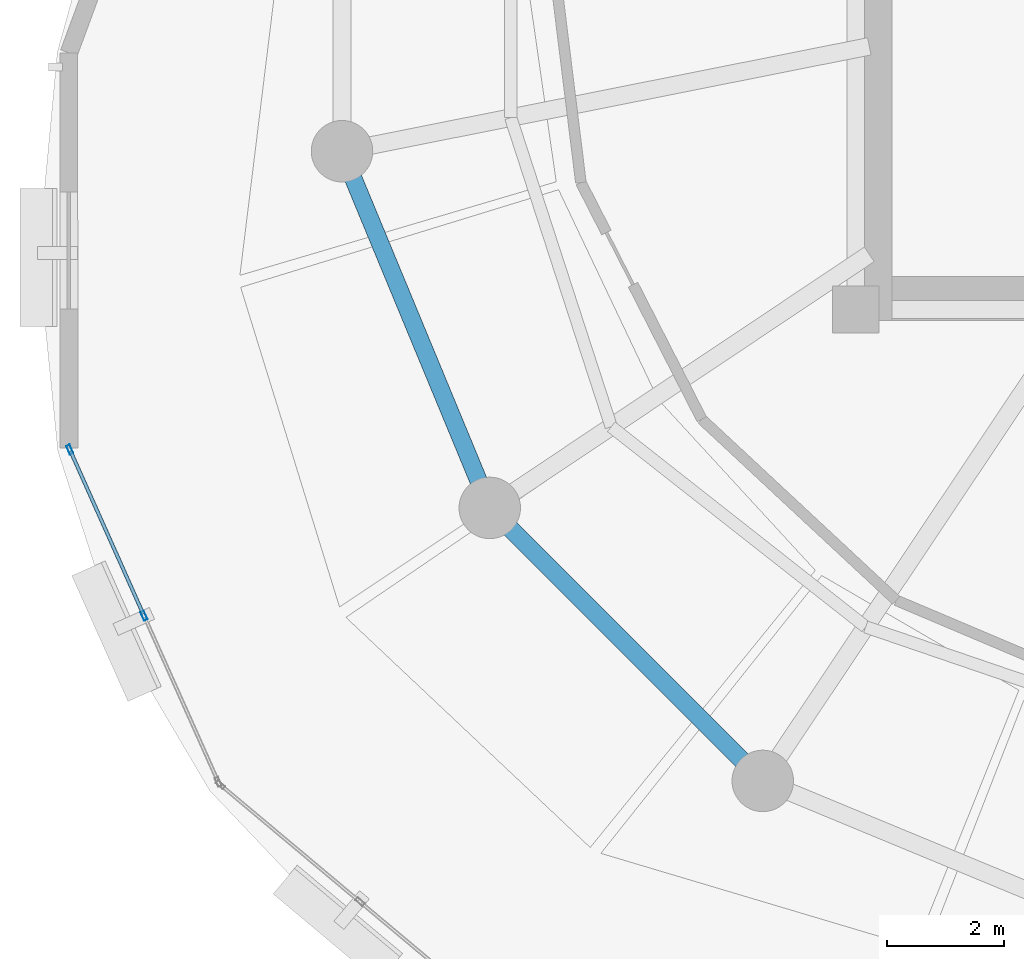
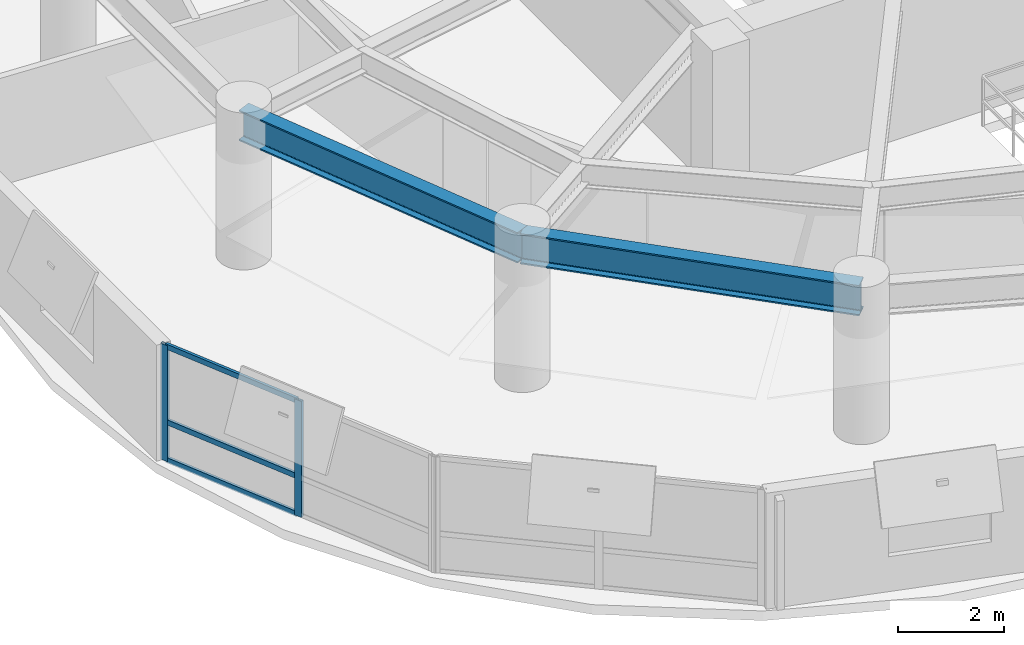
# One storey, part 4 of 12: 5 members, 2 beams, 1 element without a shape of its own.
"""IFC4 building model written with IfcOpenShell, lengths in metres."""

from ifc_helpers import new_model, si_unit, direction, frame, origin, origin_2d, place, context, subcontext, project, spatial, hollow_rectangle, i_section, extrude, material, layer, layer_set, material_profile, profile_set, type_object, element, aggregate, save


model = new_model("IFC4")

# Units and contexts
model_context = context("Model", 3, precision=1e-05, world=origin(), true_north=direction((0.0, 1.0)))
body_context = subcontext(model_context, "Body", "Model", "MODEL_VIEW")
ifc_project = project(units=[si_unit("LENGTHUNIT", "METRE"), si_unit("AREAUNIT", "SQUARE_METRE"), si_unit("VOLUMEUNIT", "CUBIC_METRE"), si_unit("PLANEANGLEUNIT", "RADIAN"), si_unit("MASSUNIT", "GRAM", prefix="KILO"), si_unit("THERMODYNAMICTEMPERATUREUNIT", "KELVIN"), si_unit("POWERUNIT", "WATT")], contexts=[model_context])

# Site, building, storey
site_placement = place(None, origin())
site = spatial("IfcSite", under=ifc_project, at=site_placement, CompositionType="ELEMENT")
building_placement = place(site_placement, origin())
building = spatial("IfcBuilding", under=site, at=building_placement, Name="Ocrelia Relay Tower", CompositionType="ELEMENT")
storey_placement = place(building_placement, frame((0.0, 0.0, 188.0)))
storey = spatial("IfcBuildingStorey", under=building, at=storey_placement, Name="L45", CompositionType="ELEMENT", Elevation=188.0)

# Beams
ifc_material_1 = material(Name="Steel S355", Category="steel")
ifc_material_profile_1 = material_profile(ifc_material_1, i_section(OverallWidth=0.300048828125, OverallDepth=0.699951171875, WebThickness=0.01708984375, FlangeThickness=0.031982421875, FilletRadius=0.027099609375, at=origin_2d()), Name="HEB 700")
ifc_profile_set_1 = profile_set([ifc_material_profile_1], Name="Steel S355")
beam_type = type_object("IfcBeamType", Name="BM-HEB700", PredefinedType="BEAM", material=ifc_profile_set_1)
for number, where, z_axis, x_axis, name in (
    (1, (17.4248046875, 22.702880859375, 3.030029296875), (0.382687508402, -0.923877844151, 0.0), (0.923877844151, 0.382687508402, 0.0), "L45 Perimeter Spandrel Beam S09"),
    (2, (19.9482421875, 16.61083984375, 3.030029296875), (0.707106781187, -0.707106781187, 0.0), (0.707106781187, 0.707106781187, 0.0), "L45 Perimeter Spandrel Beam S10"),
):
    element("IfcBeam", number, at=place(storey_placement, frame(where, z_axis=z_axis, x_axis=x_axis)), inside=storey, type_object=beam_type, Name=name, PredefinedType="BEAM", context=body_context, shape_type="SweptSolid", body=[
        extrude(i_section(OverallWidth=0.300048828125, OverallDepth=0.699951171875, WebThickness=0.01708984375, FlangeThickness=0.031982421875, FilletRadius=0.027099609375, at=origin_2d()), origin(), (0.0, 0.0, 1.0), 6.593994140625),
    ])

# Curtain wall, members
ifc_material_2 = material(Name="Aluminium and solar-control low-E glass", Category="aluminium")
ifc_layer = layer(ifc_material_2, 0.179931640625, Name="Aluminium and solar-control low-E glass")
ifc_layer_set = layer_set([ifc_layer], Name="Aluminium and solar-control low-E glass")
curtain_wall_type = type_object("IfcCurtainWallType", Name="CW-SYS-Z3-CLOU", PredefinedType="NOTDEFINED", material=ifc_layer_set)
curtain_wall_placement = place(storey_placement, origin())
curtain_wall = element("IfcCurtainWall", 3, at=curtain_wall_placement, inside=storey, type_object=curtain_wall_type, Name="L45 Elliptical Tower Curtain Wall Bay 09", PredefinedType="NOTDEFINED")
ifc_material_3 = material(Name="Anodised bronze aluminium", Category="aluminium")
ifc_material_profile_2 = material_profile(ifc_material_3, hollow_rectangle(XDim=0.06494140625, YDim=0.159912109375, WallThickness=0.0048828125, at=origin_2d()), Name="CW-MUL-160x65")
ifc_profile_set_2 = profile_set([ifc_material_profile_2], Name="Anodised bronze aluminium")
member_type_1 = type_object("IfcMemberType", Name="CW-SYS-Z3-CLOU-MUL", PredefinedType="MULLION", material=ifc_profile_set_2)
member_1_placement = place(storey_placement, frame((12.775146484375, 17.60791015625, 0.0), z_axis=(0.0, 0.0, 1.0), x_axis=(0.913048564205, 0.407850854361, 0.0)))
member_1 = element("IfcMember", 4, at=member_1_placement, type_object=member_type_1, Name="CW-Z3 mullion 1", PredefinedType="MULLION", context=body_context, shape_type="SweptSolid", body=[
    extrude(hollow_rectangle(XDim=0.06494140625, YDim=0.159912109375, WallThickness=0.0048828125, at=origin_2d()), origin(), (0.0, 0.0, 1.0), 2.659912109375),
])
member_2_placement = place(storey_placement, frame((14.04296875, 14.769287109375, 0.0), z_axis=(0.0, 0.0, 1.0), x_axis=(0.913048564205, 0.407850854361, 0.0)))
member_2 = element("IfcMember", 5, at=member_2_placement, type_object=member_type_1, Name="CW-Z3 mullion 2", PredefinedType="MULLION", context=body_context, shape_type="SweptSolid", body=[
    extrude(hollow_rectangle(XDim=0.06494140625, YDim=0.159912109375, WallThickness=0.0048828125, at=origin_2d()), origin(), (0.0, 0.0, 1.0), 2.659912109375),
])
ifc_material_profile_3 = material_profile(ifc_material_3, hollow_rectangle(XDim=0.06005859375, YDim=0.1201171875, WallThickness=0.0048828125, at=origin_2d()), Name="CW-TRN-120x60")
ifc_profile_set_3 = profile_set([ifc_material_profile_3], Name="Anodised bronze aluminium")
member_type_2 = type_object("IfcMemberType", Name="CW-SYS-Z3-CLOU-TRN", PredefinedType="USERDEFINED", material=ifc_profile_set_3)
member_3_placement = place(storey_placement, frame((12.788330078125, 17.578369140625, 0.030029296875), z_axis=(0.407841907197, -0.913052560773, 0.0), x_axis=(0.913052560773, 0.407841907197, 0.0)))
member_3 = element("IfcMember", 6, at=member_3_placement, type_object=member_type_2, Name="CW-Z3 transom 1.1", ObjectType="TRANSOM", PredefinedType="USERDEFINED", context=body_context, shape_type="SweptSolid", body=[
    extrude(hollow_rectangle(XDim=0.06005859375, YDim=0.1201171875, WallThickness=0.0048828125, at=origin_2d()), origin(), (0.0, 0.0, 1.0), 3.0439453125),
])
member_4_placement = place(storey_placement, frame((12.788330078125, 17.578369140625, 0.89990234375), z_axis=(0.407841907197, -0.913052560773, 0.0), x_axis=(0.913052560773, 0.407841907197, 0.0)))
member_4 = element("IfcMember", 7, at=member_4_placement, type_object=member_type_2, Name="CW-Z3 transom 1.2", ObjectType="TRANSOM", PredefinedType="USERDEFINED", context=body_context, shape_type="SweptSolid", body=[
    extrude(hollow_rectangle(XDim=0.06005859375, YDim=0.1201171875, WallThickness=0.0048828125, at=origin_2d()), origin(), (0.0, 0.0, 1.0), 3.0439453125),
])
member_5_placement = place(storey_placement, frame((12.788330078125, 17.578369140625, 2.6298828125), z_axis=(0.407841907197, -0.913052560773, 0.0), x_axis=(0.913052560773, 0.407841907197, 0.0)))
member_5 = element("IfcMember", 8, at=member_5_placement, type_object=member_type_2, Name="CW-Z3 transom 1.3", ObjectType="TRANSOM", PredefinedType="USERDEFINED", context=body_context, shape_type="SweptSolid", body=[
    extrude(hollow_rectangle(XDim=0.06005859375, YDim=0.1201171875, WallThickness=0.0048828125, at=origin_2d()), origin(), (0.0, 0.0, 1.0), 3.0439453125),
])
aggregate(curtain_wall, [member_1, member_2, member_3, member_4, member_5])

save(model, "model.ifc")
